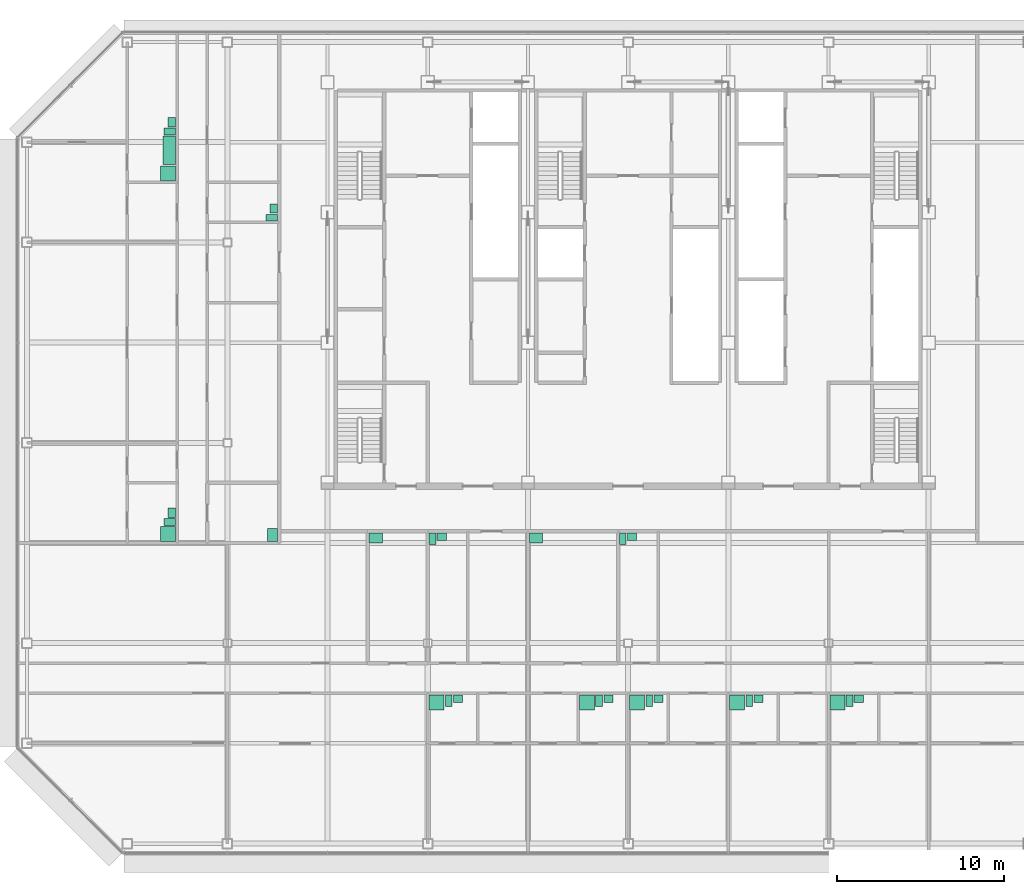
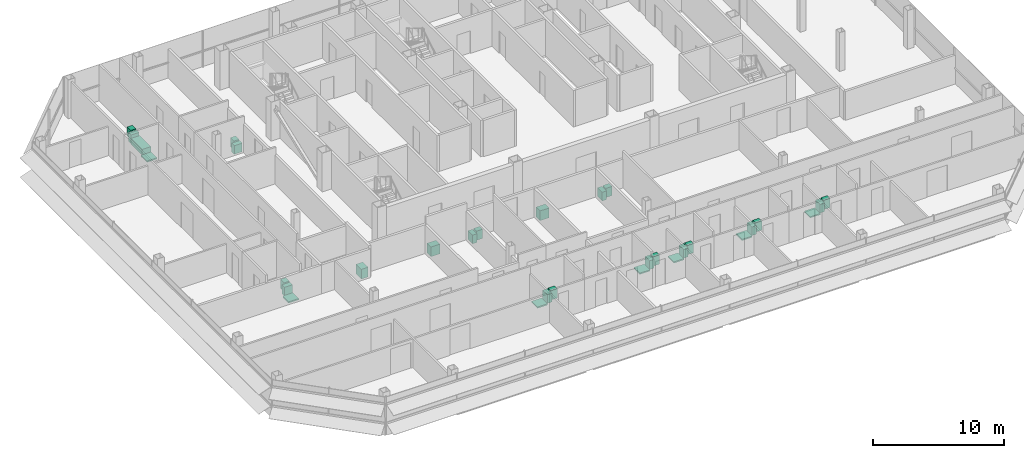
# One storey, part 28 of 28: 31 sanitary terminals.
"""IFC4 building model written with IfcOpenShell, lengths in metres."""

from ifc_helpers import new_model, si_unit, direction, frame, origin, origin_2d, place, context, subcontext, project, spatial, rectangle, extrude, element, save


model = new_model("IFC4")

# Units and contexts
model_context = context("Model", 3, precision=1e-05, world=origin(), true_north=direction((0.0, 1.0)))
body_context = subcontext(model_context, "Body", "Model", "MODEL_VIEW")
ifc_project = project(units=[si_unit("LENGTHUNIT", "METRE"), si_unit("AREAUNIT", "SQUARE_METRE"), si_unit("VOLUMEUNIT", "CUBIC_METRE"), si_unit("PLANEANGLEUNIT", "RADIAN"), si_unit("MASSUNIT", "GRAM", prefix="KILO")], contexts=[model_context])

# Site, building, storey
site_placement = place(None, origin())
site = spatial("IfcSite", under=ifc_project, at=site_placement, CompositionType="ELEMENT")
building_placement = place(site_placement, origin())
building = spatial("IfcBuilding", under=site, at=building_placement, Name="Sorahane Residences", CompositionType="ELEMENT")
storey_placement = place(building_placement, frame((0.0, 0.0, 254.0)))
storey = spatial("IfcBuildingStorey", under=building, at=storey_placement, Name="L60", CompositionType="ELEMENT", Elevation=254.0)

# Sanitary terminals
sanitary_terminal_1_placement = place(storey_placement, frame((12.530029296875, 8.449951171875, 0.0), z_axis=(0.0, 0.0, 1.0), x_axis=(1.0, 0.0, 0.0)))
element("IfcSanitaryTerminal", 1, at=sanitary_terminal_1_placement, inside=storey, Name="Shower tray En-suite bathroom 60A", PredefinedType="SHOWER", context=body_context, shape_type="SweptSolid", body=[
    extrude(rectangle(XDim=0.89990234375, YDim=0.89990234375, at=origin_2d()), origin(), (0.0, 0.0, 1.0), 0.1201171875),
])
sanitary_terminal_2_placement = place(storey_placement, frame((13.260009765625, 8.550048828125, 0.0), z_axis=(0.0, 0.0, 1.0), x_axis=(1.0, 0.0, 0.0)))
element("IfcSanitaryTerminal", 2, at=sanitary_terminal_2_placement, inside=storey, Name="WC pan En-suite bathroom 60A", PredefinedType="TOILETPAN", context=body_context, shape_type="SweptSolid", body=[
    extrude(rectangle(XDim=0.39990234375, YDim=0.699951171875, at=origin_2d()), origin(), (0.0, 0.0, 1.0), 0.800048828125),
])
sanitary_terminal_3_placement = place(storey_placement, frame((13.81494140625, 8.675048828125, 0.0), z_axis=(0.0, 0.0, 1.0), x_axis=(1.0, 0.0, 0.0)))
element("IfcSanitaryTerminal", 3, at=sanitary_terminal_3_placement, inside=storey, Name="Wash basin En-suite bathroom 60A", PredefinedType="WASHHANDBASIN", context=body_context, shape_type="SweptSolid", body=[
    extrude(rectangle(XDim=0.550048828125, YDim=0.449951171875, at=origin_2d()), origin(), (0.0, 0.0, 1.0), 0.85009765625),
])
sanitary_terminal_4_placement = place(storey_placement, frame((8.8798828125, 18.300048828125, 0.0), z_axis=(0.0, 0.0, 1.0), x_axis=(1.0, 0.0, 0.0)))
element("IfcSanitaryTerminal", 4, at=sanitary_terminal_4_placement, inside=storey, Name="Kitchen sink Kitchen 60A", PredefinedType="SINK", context=body_context, shape_type="SweptSolid", body=[
    extrude(rectangle(XDim=0.800048828125, YDim=0.60009765625, at=origin_2d()), origin(), (0.0, 0.0, 1.0), 0.89990234375),
])
sanitary_terminal_5_placement = place(storey_placement, frame((12.280029296875, 18.25, 0.0), z_axis=(0.0, 0.0, 1.0), x_axis=(1.0, 0.0, 0.0)))
element("IfcSanitaryTerminal", 5, at=sanitary_terminal_5_placement, inside=storey, Name="WC pan Powder room 60A", PredefinedType="TOILETPAN", context=body_context, shape_type="SweptSolid", body=[
    extrude(rectangle(XDim=0.39990234375, YDim=0.699951171875, at=origin_2d()), origin(), (0.0, 0.0, 1.0), 0.800048828125),
])
sanitary_terminal_6_placement = place(storey_placement, frame((12.8349609375, 18.375, 0.0), z_axis=(0.0, 0.0, 1.0), x_axis=(1.0, 0.0, 0.0)))
element("IfcSanitaryTerminal", 6, at=sanitary_terminal_6_placement, inside=storey, Name="Wash basin Powder room 60A", PredefinedType="WASHHANDBASIN", context=body_context, shape_type="SweptSolid", body=[
    extrude(rectangle(XDim=0.550048828125, YDim=0.449951171875, at=origin_2d()), origin(), (0.0, 0.0, 1.0), 0.85009765625),
])
sanitary_terminal_7_placement = place(storey_placement, frame((21.530029296875, 8.449951171875, 0.0), z_axis=(0.0, 0.0, 1.0), x_axis=(1.0, 0.0, 0.0)))
element("IfcSanitaryTerminal", 7, at=sanitary_terminal_7_placement, inside=storey, Name="Shower tray En-suite bathroom 60B", PredefinedType="SHOWER", context=body_context, shape_type="SweptSolid", body=[
    extrude(rectangle(XDim=0.89990234375, YDim=0.89990234375, at=origin_2d()), origin(), (0.0, 0.0, 1.0), 0.1201171875),
])
sanitary_terminal_8_placement = place(storey_placement, frame((22.260009765625, 8.550048828125, 0.0), z_axis=(0.0, 0.0, 1.0), x_axis=(1.0, 0.0, 0.0)))
element("IfcSanitaryTerminal", 8, at=sanitary_terminal_8_placement, inside=storey, Name="WC pan En-suite bathroom 60B", PredefinedType="TOILETPAN", context=body_context, shape_type="SweptSolid", body=[
    extrude(rectangle(XDim=0.39990234375, YDim=0.699951171875, at=origin_2d()), origin(), (0.0, 0.0, 1.0), 0.800048828125),
])
sanitary_terminal_9_placement = place(storey_placement, frame((22.81494140625, 8.675048828125, 0.0), z_axis=(0.0, 0.0, 1.0), x_axis=(1.0, 0.0, 0.0)))
element("IfcSanitaryTerminal", 9, at=sanitary_terminal_9_placement, inside=storey, Name="Wash basin En-suite bathroom 60B", PredefinedType="WASHHANDBASIN", context=body_context, shape_type="SweptSolid", body=[
    extrude(rectangle(XDim=0.550048828125, YDim=0.449951171875, at=origin_2d()), origin(), (0.0, 0.0, 1.0), 0.85009765625),
])
sanitary_terminal_10_placement = place(storey_placement, frame((24.530029296875, 8.449951171875, 0.0), z_axis=(0.0, 0.0, 1.0), x_axis=(1.0, 0.0, 0.0)))
element("IfcSanitaryTerminal", 10, at=sanitary_terminal_10_placement, inside=storey, Name="Shower tray En-suite bathroom 60B-2", PredefinedType="SHOWER", context=body_context, shape_type="SweptSolid", body=[
    extrude(rectangle(XDim=0.89990234375, YDim=0.89990234375, at=origin_2d()), origin(), (0.0, 0.0, 1.0), 0.1201171875),
])
sanitary_terminal_11_placement = place(storey_placement, frame((25.260009765625, 8.550048828125, 0.0), z_axis=(0.0, 0.0, 1.0), x_axis=(1.0, 0.0, 0.0)))
element("IfcSanitaryTerminal", 11, at=sanitary_terminal_11_placement, inside=storey, Name="WC pan En-suite bathroom 60B-2", PredefinedType="TOILETPAN", context=body_context, shape_type="SweptSolid", body=[
    extrude(rectangle(XDim=0.39990234375, YDim=0.699951171875, at=origin_2d()), origin(), (0.0, 0.0, 1.0), 0.800048828125),
])
sanitary_terminal_12_placement = place(storey_placement, frame((25.81494140625, 8.675048828125, 0.0), z_axis=(0.0, 0.0, 1.0), x_axis=(1.0, 0.0, 0.0)))
element("IfcSanitaryTerminal", 12, at=sanitary_terminal_12_placement, inside=storey, Name="Wash basin En-suite bathroom 60B-2", PredefinedType="WASHHANDBASIN", context=body_context, shape_type="SweptSolid", body=[
    extrude(rectangle(XDim=0.550048828125, YDim=0.449951171875, at=origin_2d()), origin(), (0.0, 0.0, 1.0), 0.85009765625),
])
sanitary_terminal_13_placement = place(storey_placement, frame((30.530029296875, 8.449951171875, 0.0), z_axis=(0.0, 0.0, 1.0), x_axis=(1.0, 0.0, 0.0)))
element("IfcSanitaryTerminal", 13, at=sanitary_terminal_13_placement, inside=storey, Name="Shower tray En-suite bathroom 60B-3", PredefinedType="SHOWER", context=body_context, shape_type="SweptSolid", body=[
    extrude(rectangle(XDim=0.89990234375, YDim=0.89990234375, at=origin_2d()), origin(), (0.0, 0.0, 1.0), 0.1201171875),
])
sanitary_terminal_14_placement = place(storey_placement, frame((31.260009765625, 8.550048828125, 0.0), z_axis=(0.0, 0.0, 1.0), x_axis=(1.0, 0.0, 0.0)))
element("IfcSanitaryTerminal", 14, at=sanitary_terminal_14_placement, inside=storey, Name="WC pan En-suite bathroom 60B-3", PredefinedType="TOILETPAN", context=body_context, shape_type="SweptSolid", body=[
    extrude(rectangle(XDim=0.39990234375, YDim=0.699951171875, at=origin_2d()), origin(), (0.0, 0.0, 1.0), 0.800048828125),
])
sanitary_terminal_15_placement = place(storey_placement, frame((31.81494140625, 8.675048828125, 0.0), z_axis=(0.0, 0.0, 1.0), x_axis=(1.0, 0.0, 0.0)))
element("IfcSanitaryTerminal", 15, at=sanitary_terminal_15_placement, inside=storey, Name="Wash basin En-suite bathroom 60B-3", PredefinedType="WASHHANDBASIN", context=body_context, shape_type="SweptSolid", body=[
    extrude(rectangle(XDim=0.550048828125, YDim=0.449951171875, at=origin_2d()), origin(), (0.0, 0.0, 1.0), 0.85009765625),
])
sanitary_terminal_16_placement = place(storey_placement, frame((36.530029296875, 8.449951171875, 0.0), z_axis=(0.0, 0.0, 1.0), x_axis=(1.0, 0.0, 0.0)))
element("IfcSanitaryTerminal", 16, at=sanitary_terminal_16_placement, inside=storey, Name="Shower tray En-suite bathroom 60B-4", PredefinedType="SHOWER", context=body_context, shape_type="SweptSolid", body=[
    extrude(rectangle(XDim=0.89990234375, YDim=0.89990234375, at=origin_2d()), origin(), (0.0, 0.0, 1.0), 0.1201171875),
])
sanitary_terminal_17_placement = place(storey_placement, frame((37.260009765625, 8.550048828125, 0.0), z_axis=(0.0, 0.0, 1.0), x_axis=(1.0, 0.0, 0.0)))
element("IfcSanitaryTerminal", 17, at=sanitary_terminal_17_placement, inside=storey, Name="WC pan En-suite bathroom 60B-4", PredefinedType="TOILETPAN", context=body_context, shape_type="SweptSolid", body=[
    extrude(rectangle(XDim=0.39990234375, YDim=0.699951171875, at=origin_2d()), origin(), (0.0, 0.0, 1.0), 0.800048828125),
])
sanitary_terminal_18_placement = place(storey_placement, frame((37.81494140625, 8.675048828125, 0.0), z_axis=(0.0, 0.0, 1.0), x_axis=(1.0, 0.0, 0.0)))
element("IfcSanitaryTerminal", 18, at=sanitary_terminal_18_placement, inside=storey, Name="Wash basin En-suite bathroom 60B-4", PredefinedType="WASHHANDBASIN", context=body_context, shape_type="SweptSolid", body=[
    extrude(rectangle(XDim=0.550048828125, YDim=0.449951171875, at=origin_2d()), origin(), (0.0, 0.0, 1.0), 0.85009765625),
])
sanitary_terminal_19_placement = place(storey_placement, frame((18.47998046875, 18.300048828125, 0.0), z_axis=(0.0, 0.0, 1.0), x_axis=(1.0, 0.0, 0.0)))
element("IfcSanitaryTerminal", 19, at=sanitary_terminal_19_placement, inside=storey, Name="Kitchen sink Kitchen 60B", PredefinedType="SINK", context=body_context, shape_type="SweptSolid", body=[
    extrude(rectangle(XDim=0.800048828125, YDim=0.60009765625, at=origin_2d()), origin(), (0.0, 0.0, 1.0), 0.89990234375),
])
sanitary_terminal_20_placement = place(storey_placement, frame((23.679931640625, 18.25, 0.0), z_axis=(0.0, 0.0, 1.0), x_axis=(1.0, 0.0, 0.0)))
element("IfcSanitaryTerminal", 20, at=sanitary_terminal_20_placement, inside=storey, Name="WC pan Powder room 60B", PredefinedType="TOILETPAN", context=body_context, shape_type="SweptSolid", body=[
    extrude(rectangle(XDim=0.39990234375, YDim=0.699951171875, at=origin_2d()), origin(), (0.0, 0.0, 1.0), 0.800048828125),
])
sanitary_terminal_21_placement = place(storey_placement, frame((24.235107421875, 18.375, 0.0), z_axis=(0.0, 0.0, 1.0), x_axis=(1.0, 0.0, 0.0)))
element("IfcSanitaryTerminal", 21, at=sanitary_terminal_21_placement, inside=storey, Name="Wash basin Powder room 60B", PredefinedType="WASHHANDBASIN", context=body_context, shape_type="SweptSolid", body=[
    extrude(rectangle(XDim=0.550048828125, YDim=0.449951171875, at=origin_2d()), origin(), (0.0, 0.0, 1.0), 0.85009765625),
])
sanitary_terminal_22_placement = place(storey_placement, frame((-3.550048828125, 18.530029296875, 0.0), z_axis=(0.0, 0.0, 1.0), x_axis=(0.0, -1.0, 0.0)))
element("IfcSanitaryTerminal", 22, at=sanitary_terminal_22_placement, inside=storey, Name="Shower tray En-suite bathroom 60C", PredefinedType="SHOWER", context=body_context, shape_type="SweptSolid", body=[
    extrude(rectangle(XDim=0.89990234375, YDim=0.89990234375, at=origin_2d()), origin(), (0.0, 0.0, 1.0), 0.1201171875),
])
sanitary_terminal_23_placement = place(storey_placement, frame((-3.449951171875, 19.260009765625, 0.0), z_axis=(0.0, 0.0, 1.0), x_axis=(0.0, -1.0, 0.0)))
element("IfcSanitaryTerminal", 23, at=sanitary_terminal_23_placement, inside=storey, Name="WC pan En-suite bathroom 60C", PredefinedType="TOILETPAN", context=body_context, shape_type="SweptSolid", body=[
    extrude(rectangle(XDim=0.39990234375, YDim=0.699951171875, at=origin_2d()), origin(), (0.0, 0.0, 1.0), 0.800048828125),
])
sanitary_terminal_24_placement = place(storey_placement, frame((-3.324951171875, 19.81494140625, 0.0), z_axis=(0.0, 0.0, 1.0), x_axis=(0.0, -1.0, 0.0)))
element("IfcSanitaryTerminal", 24, at=sanitary_terminal_24_placement, inside=storey, Name="Wash basin En-suite bathroom 60C", PredefinedType="WASHHANDBASIN", context=body_context, shape_type="SweptSolid", body=[
    extrude(rectangle(XDim=0.550048828125, YDim=0.449951171875, at=origin_2d()), origin(), (0.0, 0.0, 1.0), 0.85009765625),
])
sanitary_terminal_25_placement = place(storey_placement, frame((-3.550048828125, 40.1298828125, 0.0), z_axis=(0.0, 0.0, 1.0), x_axis=(0.0, -1.0, 0.0)))
element("IfcSanitaryTerminal", 25, at=sanitary_terminal_25_placement, inside=storey, Name="Shower tray En-suite bathroom 60C-2", PredefinedType="SHOWER", context=body_context, shape_type="SweptSolid", body=[
    extrude(rectangle(XDim=0.89990234375, YDim=0.89990234375, at=origin_2d()), origin(), (0.0, 0.0, 1.0), 0.1201171875),
])
sanitary_terminal_26_placement = place(storey_placement, frame((-3.47509765625, 41.510009765625, 0.0), z_axis=(0.0, 0.0, 1.0), x_axis=(0.0, -1.0, 0.0)))
element("IfcSanitaryTerminal", 26, at=sanitary_terminal_26_placement, inside=storey, Name="Bath En-suite bathroom 60C-2", PredefinedType="BATH", context=body_context, shape_type="SweptSolid", body=[
    extrude(rectangle(XDim=1.699951171875, YDim=0.75, at=origin_2d()), origin(), (0.0, 0.0, 1.0), 0.56005859375),
])
sanitary_terminal_27_placement = place(storey_placement, frame((-3.449951171875, 42.639892578125, 0.0), z_axis=(0.0, 0.0, 1.0), x_axis=(0.0, -1.0, 0.0)))
element("IfcSanitaryTerminal", 27, at=sanitary_terminal_27_placement, inside=storey, Name="WC pan En-suite bathroom 60C-2", PredefinedType="TOILETPAN", context=body_context, shape_type="SweptSolid", body=[
    extrude(rectangle(XDim=0.39990234375, YDim=0.699951171875, at=origin_2d()), origin(), (0.0, 0.0, 1.0), 0.800048828125),
])
sanitary_terminal_28_placement = place(storey_placement, frame((-3.324951171875, 43.195068359375, 0.0), z_axis=(0.0, 0.0, 1.0), x_axis=(0.0, -1.0, 0.0)))
element("IfcSanitaryTerminal", 28, at=sanitary_terminal_28_placement, inside=storey, Name="Wash basin En-suite bathroom 60C-2", PredefinedType="WASHHANDBASIN", context=body_context, shape_type="SweptSolid", body=[
    extrude(rectangle(XDim=0.550048828125, YDim=0.449951171875, at=origin_2d()), origin(), (0.0, 0.0, 1.0), 0.85009765625),
])
sanitary_terminal_29_placement = place(storey_placement, frame((2.699951171875, 18.47998046875, 0.0), z_axis=(0.0, 0.0, 1.0), x_axis=(0.0, -1.0, 0.0)))
element("IfcSanitaryTerminal", 29, at=sanitary_terminal_29_placement, inside=storey, Name="Kitchen sink Kitchen 60C", PredefinedType="SINK", context=body_context, shape_type="SweptSolid", body=[
    extrude(rectangle(XDim=0.800048828125, YDim=0.60009765625, at=origin_2d()), origin(), (0.0, 0.0, 1.0), 0.89990234375),
])
sanitary_terminal_30_placement = place(storey_placement, frame((2.64990234375, 37.47998046875, 0.0), z_axis=(0.0, 0.0, 1.0), x_axis=(0.0, -1.0, 0.0)))
element("IfcSanitaryTerminal", 30, at=sanitary_terminal_30_placement, inside=storey, Name="WC pan Powder room 60C", PredefinedType="TOILETPAN", context=body_context, shape_type="SweptSolid", body=[
    extrude(rectangle(XDim=0.39990234375, YDim=0.699951171875, at=origin_2d()), origin(), (0.0, 0.0, 1.0), 0.800048828125),
])
sanitary_terminal_31_placement = place(storey_placement, frame((2.77490234375, 38.034912109375, 0.0), z_axis=(0.0, 0.0, 1.0), x_axis=(0.0, -1.0, 0.0)))
element("IfcSanitaryTerminal", 31, at=sanitary_terminal_31_placement, inside=storey, Name="Wash basin Powder room 60C", PredefinedType="WASHHANDBASIN", context=body_context, shape_type="SweptSolid", body=[
    extrude(rectangle(XDim=0.550048828125, YDim=0.449951171875, at=origin_2d()), origin(), (0.0, 0.0, 1.0), 0.85009765625),
])

save(model, "model.ifc")
